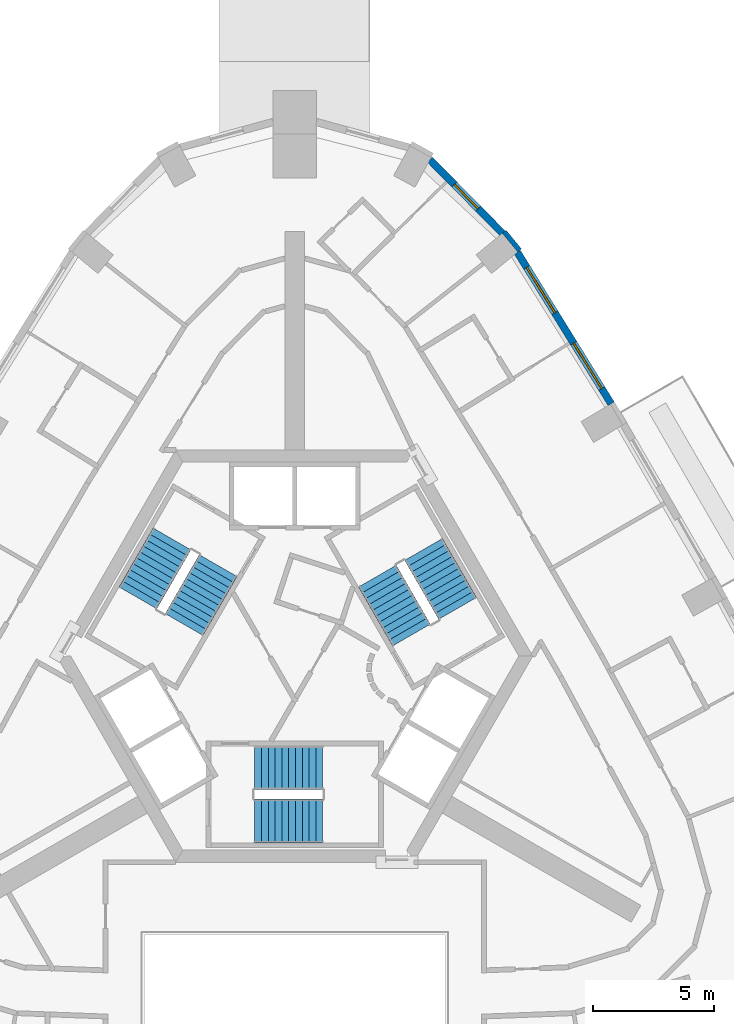
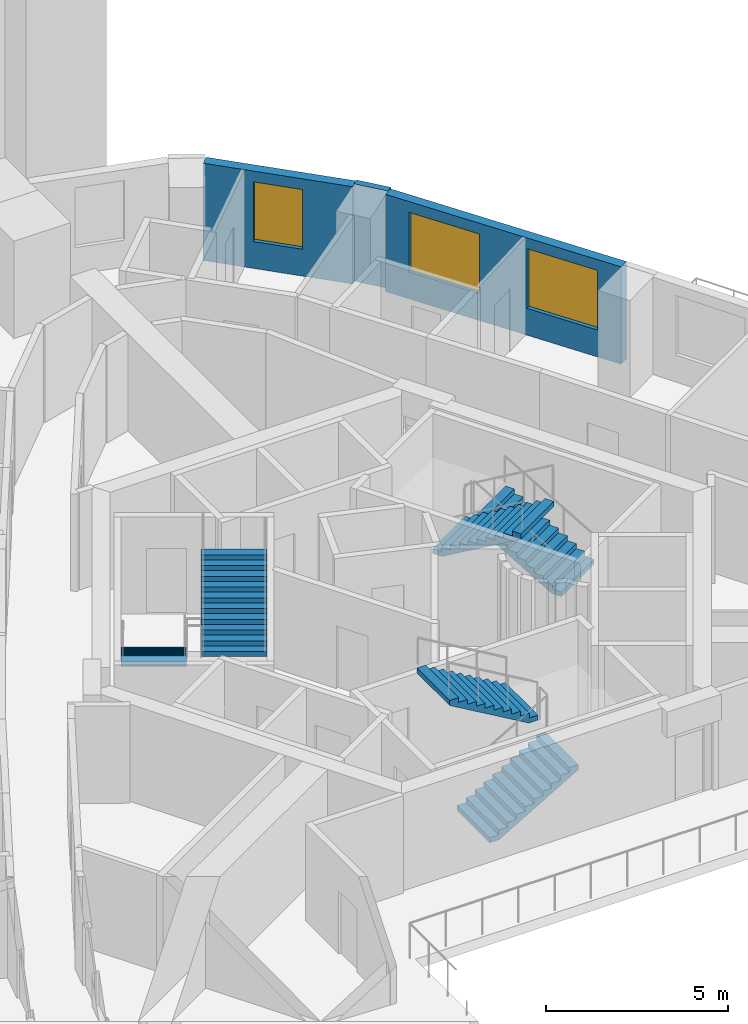
# One storey, part 9 of 11: 6 stair flights, 3 walls, 3 windows, 3 openings, 3 elements without a shape of their own.
"""IFC4 building model written with IfcOpenShell, lengths in metres."""

from ifc_helpers import new_model, si_unit, direction, frame, frame_2d, origin, place, context, subcontext, project, spatial, polyline, rectangle, outline, extrude, material, layer, layer_set, type_object, element, fill, aggregate, save


model = new_model("IFC4")

# Units and contexts
model_context = context("Model", 3, precision=1e-05, world=origin(), true_north=direction((0.0, 1.0)))
body_context = subcontext(model_context, "Body", "Model", "MODEL_VIEW")
ifc_project = project(units=[si_unit("LENGTHUNIT", "METRE"), si_unit("AREAUNIT", "SQUARE_METRE"), si_unit("VOLUMEUNIT", "CUBIC_METRE"), si_unit("PLANEANGLEUNIT", "RADIAN"), si_unit("MASSUNIT", "GRAM", prefix="KILO")], contexts=[model_context])

# Site, building, storey
site_placement = place(None, origin())
site = spatial("IfcSite", under=ifc_project, at=site_placement, CompositionType="ELEMENT")
building_placement = place(site_placement, origin())
building = spatial("IfcBuilding", under=site, at=building_placement, Name="Entoto Arch Interchange Tower", CompositionType="ELEMENT")
storey_placement = place(building_placement, frame((0.0, 0.0, 297.199951171875)))
storey = spatial("IfcBuildingStorey", under=building, at=storey_placement, Name="L69", CompositionType="ELEMENT", Elevation=297.199951171875)

# Wall, openings, windows
ifc_material_1 = material(Name="Welded tuff (ignimbrite) cladding, warm buff", Category="masonry")
ifc_layer_1 = layer(ifc_material_1, 0.300048828125)
ifc_layer_set_1 = layer_set([ifc_layer_1], Name="Welded tuff (ignimbrite) cladding, warm buff")
wall_type_1 = type_object("IfcWallType", Name="STONE INFILL WALL 300", PredefinedType="STANDARD", material=ifc_layer_set_1)
wall_1_placement = place(storey_placement, frame((13.047119140625, 12.906982421875, 0.0), z_axis=(0.0, 0.0, 1.0), x_axis=(-0.526409529565, 0.850231149267, 0.0)))
wall_1 = element("IfcWall", 1, at=wall_1_placement, inside=storey, type_object=wall_type_1, Name="Facade wall NE-03 L69", PredefinedType="STANDARD", context=body_context, shape_type="SweptSolid", body=[
    extrude(rectangle(XDim=7.346435546875, YDim=0.300048828125, at=frame_2d((3.67333984375, 0.0))), origin(), (0.0, 0.0, 1.0), 3.260009765625),
])
opening_1_placement = place(wall_1_placement, frame((0.737060546875, 0.0, 0.89990234375)))
opening_1 = element("IfcOpeningElement", 2, at=opening_1_placement, cuts=wall_1, Name="Opening WH-A", PredefinedType="OPENING", context=body_context, shape_type="SweptSolid", body=[
    extrude(rectangle(XDim=2.199951171875, YDim=2.0, at=frame_2d((1.10009765625, 1.0))), frame((0.0, 0.16015625, 0.0), z_axis=(0.0, -1.0, 0.0), x_axis=(1.0, 0.0, 0.0)), (0.0, 0.0, 1.0), 0.320068359375),
])
opening_2_placement = place(wall_1_placement, frame((4.409912109375, 0.0, 0.89990234375)))
opening_2 = element("IfcOpeningElement", 3, at=opening_2_placement, cuts=wall_1, Name="Opening WH-A", PredefinedType="OPENING", context=body_context, shape_type="SweptSolid", body=[
    extrude(rectangle(XDim=2.199951171875, YDim=2.0, at=frame_2d((1.10009765625, 1.0))), frame((0.0, 0.16015625, 0.0), z_axis=(0.0, -1.0, 0.0), x_axis=(1.0, 0.0, 0.0)), (0.0, 0.0, 1.0), 0.320068359375),
])
ifc_material_2 = material(Name="Clear glass, low-e double glazed", Category="glass")
window_type_1 = type_object("IfcWindowType", Name="WINDOW WH-A 2200x2000", PartitioningType="DOUBLE_PANEL_VERTICAL", PredefinedType="WINDOW", material=ifc_material_2)
window_1_placement = place(opening_1_placement, origin())
window_1 = element("IfcWindow", 4, at=window_1_placement, inside=storey, type_object=window_type_1, Name="Window WH-A NE-03 L69", OverallHeight=2.0, OverallWidth=2.199951171875, PartitioningType="SINGLE_PANEL", PredefinedType="WINDOW", context=body_context, shape_type="SweptSolid", body=[
    extrude(rectangle(XDim=2.199951171875, YDim=2.0, at=frame_2d((1.10009765625, 1.0))), frame((0.0, 0.030029296875, 0.0), z_axis=(0.0, -1.0, 0.0), x_axis=(1.0, 0.0, 0.0)), (0.0, 0.0, 1.0), 0.06005859375),
])
fill(opening_1, window_1)
window_2_placement = place(opening_2_placement, origin())
window_2 = element("IfcWindow", 5, at=window_2_placement, inside=storey, type_object=window_type_1, Name="Window WH-A NE-03 L69", OverallHeight=2.0, OverallWidth=2.199951171875, PartitioningType="SINGLE_PANEL", PredefinedType="WINDOW", context=body_context, shape_type="SweptSolid", body=[
    extrude(rectangle(XDim=2.199951171875, YDim=2.0, at=frame_2d((1.10009765625, 1.0))), frame((0.0, 0.030029296875, 0.0), z_axis=(0.0, -1.0, 0.0), x_axis=(1.0, 0.0, 0.0)), (0.0, 0.0, 1.0), 0.06005859375),
])
fill(opening_2, window_2)

# Wall, opening, window
wall_2_placement = place(storey_placement, frame((8.56396484375, 19.93798828125, 0.0), z_axis=(0.0, 0.0, 1.0), x_axis=(-0.70250598769, 0.711677832491, 0.0)))
wall_2 = element("IfcWall", 6, at=wall_2_placement, inside=storey, type_object=wall_type_1, Name="Facade wall N-01 L69", PredefinedType="STANDARD", context=body_context, shape_type="SweptSolid", body=[
    extrude(rectangle(XDim=4.259033203125, YDim=0.300048828125, at=frame_2d((2.12939453125, 0.0))), origin(), (0.0, 0.0, 1.0), 3.260009765625),
])
opening_3_placement = place(wall_2_placement, frame((1.428955078125, 0.0, 0.89990234375)))
opening_3 = element("IfcOpeningElement", 7, at=opening_3_placement, cuts=wall_2, Name="Opening WH-B", PredefinedType="OPENING", context=body_context, shape_type="SweptSolid", body=[
    extrude(rectangle(XDim=1.39990234375, YDim=2.0, at=frame_2d((0.699951171875, 1.0))), frame((0.0, 0.16015625, 0.0), z_axis=(0.0, -1.0, 0.0), x_axis=(1.0, 0.0, 0.0)), (0.0, 0.0, 1.0), 0.320068359375),
])
window_type_2 = type_object("IfcWindowType", Name="WINDOW WH-B 1400x2000", PartitioningType="DOUBLE_PANEL_VERTICAL", PredefinedType="WINDOW", material=ifc_material_2)
window_3_placement = place(opening_3_placement, origin())
window_3 = element("IfcWindow", 8, at=window_3_placement, inside=storey, type_object=window_type_2, Name="Window WH-B N-01 L69", OverallHeight=2.0, OverallWidth=1.39990234375, PartitioningType="SINGLE_PANEL", PredefinedType="WINDOW", context=body_context, shape_type="SweptSolid", body=[
    extrude(rectangle(XDim=1.39990234375, YDim=2.0, at=frame_2d((0.699951171875, 1.0))), frame((0.0, 0.030029296875, 0.0), z_axis=(0.0, -1.0, 0.0), x_axis=(1.0, 0.0, 0.0)), (0.0, 0.0, 1.0), 0.06005859375),
])
fill(opening_3, window_3)

# Wall
ifc_layer_2 = layer(ifc_material_1, 0.199951171875)
ifc_layer_set_2 = layer_set([ifc_layer_2], Name="Welded tuff (ignimbrite) cladding, warm buff")
wall_type_2 = type_object("IfcWallType", Name="STONE PIER CLADDING 200", PredefinedType="STANDARD", material=ifc_layer_set_2)
wall_3_placement = place(storey_placement, frame((9.27294921875, 19.22705078125, 0.0), z_axis=(0.0, 0.0, 1.0), x_axis=(-0.635852688617, 0.771810441999, 0.0)))
element("IfcWall", 9, at=wall_3_placement, inside=storey, type_object=wall_type_2, Name="Stone pier NE04 L69", PredefinedType="STANDARD", context=body_context, shape_type="SweptSolid", body=[
    extrude(rectangle(XDim=1.000244140625, YDim=0.199951171875, at=frame_2d((0.5, 0.0))), origin(), (0.0, 0.0, 1.0), 3.260009765625),
])

# Stair, stair flights
ifc_material_3 = material(Name="Concrete C40/50", Category="concrete")
stair_type = type_object("IfcStairType", Name="EXIT STAIR RC 1800", PredefinedType="HALF_TURN_STAIR", material=ifc_material_3)
stair_1_placement = place(storey_placement, origin())
stair_1 = element("IfcStair", 10, at=stair_1_placement, inside=storey, type_object=stair_type, Name="L69 Exit stair S", PredefinedType="HALF_TURN_STAIR")
stair_flight_type = type_object("IfcStairFlightType", Name="EXIT STAIR FLIGHT RC 1800", PredefinedType="STRAIGHT", material=ifc_material_3)
stair_flight_1_placement = place(storey_placement, frame((-1.64990234375, -4.300048828125, 0.0), z_axis=(0.0, 0.0, 1.0), x_axis=(1.0, 0.0, 0.0)))
stair_flight_1 = element("IfcStairFlight", 11, at=stair_flight_1_placement, type_object=stair_flight_type, Name="ST-S flight 1", NumberOfRisers=11, NumberOfTreads=10, PredefinedType="STRAIGHT", RiserHeight=0.163636364, TreadLength=0.28, context=body_context, shape_type="SweptSolid", body=[
    extrude(outline(polyline([(-0.0029296875, 0.0), (-0.0029296875, 0.16357421875), (0.280029296875, 0.16357421875), (0.280029296875, 0.327392578125), (0.56005859375, 0.327392578125), (0.56005859375, 0.490966796875), (0.840087890625, 0.490966796875), (0.840087890625, 0.654541015625), (1.1201171875, 0.654541015625), (1.1201171875, 0.818115234375), (1.39990234375, 0.818115234375), (1.39990234375, 0.98193359375), (1.679931640625, 0.98193359375), (1.679931640625, 1.1455078125), (1.9599609375, 1.1455078125), (1.9599609375, 1.30908203125), (2.239990234375, 1.30908203125), (2.239990234375, 1.47265625), (2.52001953125, 1.47265625), (2.52001953125, 1.636474609375), (2.800048828125, 1.636474609375), (2.802978515625, 1.636474609375), (2.802978515625, 1.464599609375), (0.297119140625, 0.0), (-0.0029296875, 0.0)])), frame((0.0, 0.89990234375, 0.0), z_axis=(0.0, -1.0, 0.0), x_axis=(1.0, 0.0, 0.0)), (0.0, 0.0, 1.0), 1.800048828125),
])
stair_flight_2_placement = place(storey_placement, frame((1.14990234375, -2.10009765625, 1.800048828125), z_axis=(0.0, 0.0, 1.0), x_axis=(-1.0, 0.0, 0.0)))
stair_flight_2 = element("IfcStairFlight", 12, at=stair_flight_2_placement, type_object=stair_flight_type, Name="ST-S flight 2", NumberOfRisers=11, NumberOfTreads=10, PredefinedType="STRAIGHT", RiserHeight=0.163636364, TreadLength=0.28, context=body_context, shape_type="SweptSolid", body=[
    extrude(outline(polyline([(-0.0029296875, 0.0), (-0.0029296875, 0.16357421875), (0.280029296875, 0.16357421875), (0.280029296875, 0.327392578125), (0.56005859375, 0.327392578125), (0.56005859375, 0.490966796875), (0.840087890625, 0.490966796875), (0.840087890625, 0.654541015625), (1.1201171875, 0.654541015625), (1.1201171875, 0.818115234375), (1.39990234375, 0.818115234375), (1.39990234375, 0.98193359375), (1.679931640625, 0.98193359375), (1.679931640625, 1.1455078125), (1.9599609375, 1.1455078125), (1.9599609375, 1.30908203125), (2.239990234375, 1.30908203125), (2.239990234375, 1.47265625), (2.52001953125, 1.47265625), (2.52001953125, 1.636474609375), (2.800048828125, 1.636474609375), (2.802978515625, 1.636474609375), (2.802978515625, 1.464599609375), (0.297119140625, 0.0), (-0.0029296875, 0.0)])), frame((0.0, 0.89990234375, 0.0), z_axis=(0.0, -1.0, 0.0), x_axis=(1.0, 0.0, 0.0)), (0.0, 0.0, 1.0), 1.800048828125),
])
aggregate(stair_1, [stair_flight_1, stair_flight_2])

stair_2_placement = place(storey_placement, origin())
stair_2 = element("IfcStair", 13, at=stair_2_placement, inside=storey, type_object=stair_type, Name="L69 Exit stair NE", PredefinedType="HALF_TURN_STAIR")
stair_flight_3_placement = place(storey_placement, frame((6.7138671875, 4.470947265625, 0.0), z_axis=(0.0, 0.0, 1.0), x_axis=(-0.5, 0.866025403784, 0.0)))
stair_flight_3 = element("IfcStairFlight", 14, at=stair_flight_3_placement, type_object=stair_flight_type, Name="ST-NE flight 1", NumberOfRisers=11, NumberOfTreads=10, PredefinedType="STRAIGHT", RiserHeight=0.163636364, TreadLength=0.28, context=body_context, shape_type="SweptSolid", body=[
    extrude(outline(polyline([(-0.0029296875, 0.0), (-0.0029296875, 0.16357421875), (0.280029296875, 0.16357421875), (0.280029296875, 0.327392578125), (0.56005859375, 0.327392578125), (0.56005859375, 0.490966796875), (0.840087890625, 0.490966796875), (0.840087890625, 0.654541015625), (1.1201171875, 0.654541015625), (1.1201171875, 0.818115234375), (1.39990234375, 0.818115234375), (1.39990234375, 0.98193359375), (1.679931640625, 0.98193359375), (1.679931640625, 1.1455078125), (1.9599609375, 1.1455078125), (1.9599609375, 1.30908203125), (2.239990234375, 1.30908203125), (2.239990234375, 1.47265625), (2.52001953125, 1.47265625), (2.52001953125, 1.636474609375), (2.800048828125, 1.636474609375), (2.802978515625, 1.636474609375), (2.802978515625, 1.464599609375), (0.297119140625, 0.0), (-0.0029296875, 0.0)])), frame((0.0, 0.89990234375, 0.0), z_axis=(0.0, -1.0, 0.0), x_axis=(1.0, 0.0, 0.0)), (0.0, 0.0, 1.0), 1.800048828125),
])
stair_flight_4_placement = place(storey_placement, frame((3.40869140625, 5.7958984375, 1.800048828125), z_axis=(0.0, 0.0, 1.0), x_axis=(0.5, -0.866025403784, 0.0)))
stair_flight_4 = element("IfcStairFlight", 15, at=stair_flight_4_placement, type_object=stair_flight_type, Name="ST-NE flight 2", NumberOfRisers=11, NumberOfTreads=10, PredefinedType="STRAIGHT", RiserHeight=0.163636364, TreadLength=0.28, context=body_context, shape_type="SweptSolid", body=[
    extrude(outline(polyline([(-0.0029296875, 0.0), (-0.0029296875, 0.16357421875), (0.280029296875, 0.16357421875), (0.280029296875, 0.327392578125), (0.56005859375, 0.327392578125), (0.56005859375, 0.490966796875), (0.840087890625, 0.490966796875), (0.840087890625, 0.654541015625), (1.1201171875, 0.654541015625), (1.1201171875, 0.818115234375), (1.39990234375, 0.818115234375), (1.39990234375, 0.98193359375), (1.679931640625, 0.98193359375), (1.679931640625, 1.1455078125), (1.9599609375, 1.1455078125), (1.9599609375, 1.30908203125), (2.239990234375, 1.30908203125), (2.239990234375, 1.47265625), (2.52001953125, 1.47265625), (2.52001953125, 1.636474609375), (2.800048828125, 1.636474609375), (2.802978515625, 1.636474609375), (2.802978515625, 1.464599609375), (0.297119140625, 0.0), (-0.0029296875, 0.0)])), frame((0.0, 0.89990234375, 0.0), z_axis=(0.0, -1.0, 0.0), x_axis=(1.0, 0.0, 0.0)), (0.0, 0.0, 1.0), 1.800048828125),
])
aggregate(stair_2, [stair_flight_3, stair_flight_4])

stair_3_placement = place(storey_placement, origin())
stair_3 = element("IfcStair", 16, at=stair_3_placement, inside=storey, type_object=stair_type, Name="L69 Exit stair NW", PredefinedType="HALF_TURN_STAIR")
stair_flight_5_placement = place(storey_placement, frame((-5.06396484375, 7.328857421875, 0.0), z_axis=(0.0, 0.0, 1.0), x_axis=(-0.5, -0.866025403784, 0.0)))
stair_flight_5 = element("IfcStairFlight", 17, at=stair_flight_5_placement, type_object=stair_flight_type, Name="ST-NW flight 1", NumberOfRisers=11, NumberOfTreads=10, PredefinedType="STRAIGHT", RiserHeight=0.163636364, TreadLength=0.28, context=body_context, shape_type="SweptSolid", body=[
    extrude(outline(polyline([(-0.0029296875, 0.0), (-0.0029296875, 0.16357421875), (0.280029296875, 0.16357421875), (0.280029296875, 0.327392578125), (0.56005859375, 0.327392578125), (0.56005859375, 0.490966796875), (0.840087890625, 0.490966796875), (0.840087890625, 0.654541015625), (1.1201171875, 0.654541015625), (1.1201171875, 0.818115234375), (1.39990234375, 0.818115234375), (1.39990234375, 0.98193359375), (1.679931640625, 0.98193359375), (1.679931640625, 1.1455078125), (1.9599609375, 1.1455078125), (1.9599609375, 1.30908203125), (2.239990234375, 1.30908203125), (2.239990234375, 1.47265625), (2.52001953125, 1.47265625), (2.52001953125, 1.636474609375), (2.800048828125, 1.636474609375), (2.802978515625, 1.636474609375), (2.802978515625, 1.464599609375), (0.297119140625, 0.0), (-0.0029296875, 0.0)])), frame((0.0, 0.89990234375, 0.0), z_axis=(0.0, -1.0, 0.0), x_axis=(1.0, 0.0, 0.0)), (0.0, 0.0, 1.0), 1.800048828125),
])
stair_flight_6_placement = place(storey_placement, frame((-4.558837890625, 3.803955078125, 1.800048828125), z_axis=(0.0, 0.0, 1.0), x_axis=(0.5, 0.866025403784, 0.0)))
stair_flight_6 = element("IfcStairFlight", 18, at=stair_flight_6_placement, type_object=stair_flight_type, Name="ST-NW flight 2", NumberOfRisers=11, NumberOfTreads=10, PredefinedType="STRAIGHT", RiserHeight=0.163636364, TreadLength=0.28, context=body_context, shape_type="SweptSolid", body=[
    extrude(outline(polyline([(-0.0029296875, 0.0), (-0.0029296875, 0.16357421875), (0.280029296875, 0.16357421875), (0.280029296875, 0.327392578125), (0.56005859375, 0.327392578125), (0.56005859375, 0.490966796875), (0.840087890625, 0.490966796875), (0.840087890625, 0.654541015625), (1.1201171875, 0.654541015625), (1.1201171875, 0.818115234375), (1.39990234375, 0.818115234375), (1.39990234375, 0.98193359375), (1.679931640625, 0.98193359375), (1.679931640625, 1.1455078125), (1.9599609375, 1.1455078125), (1.9599609375, 1.30908203125), (2.239990234375, 1.30908203125), (2.239990234375, 1.47265625), (2.52001953125, 1.47265625), (2.52001953125, 1.636474609375), (2.800048828125, 1.636474609375), (2.802978515625, 1.636474609375), (2.802978515625, 1.464599609375), (0.297119140625, 0.0), (-0.0029296875, 0.0)])), frame((0.0, 0.89990234375, 0.0), z_axis=(0.0, -1.0, 0.0), x_axis=(1.0, 0.0, 0.0)), (0.0, 0.0, 1.0), 1.800048828125),
])
aggregate(stair_3, [stair_flight_5, stair_flight_6])

save(model, "model.ifc")
